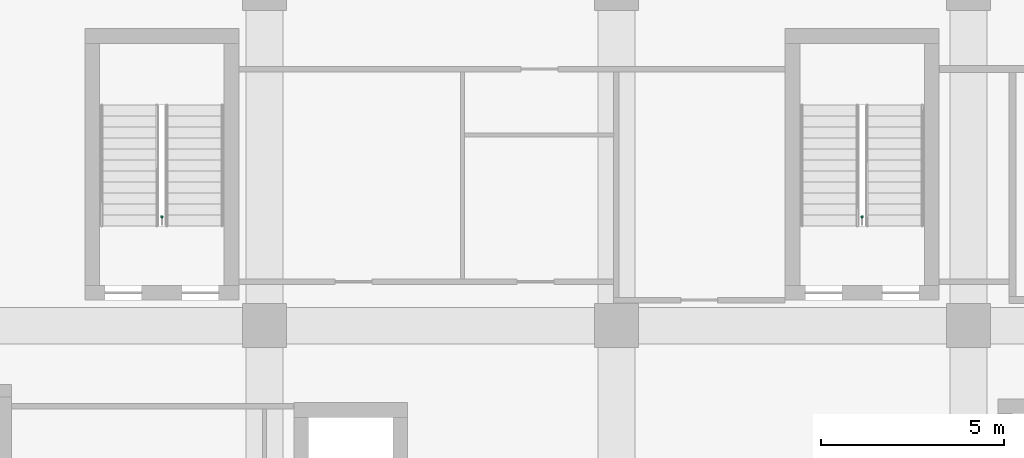
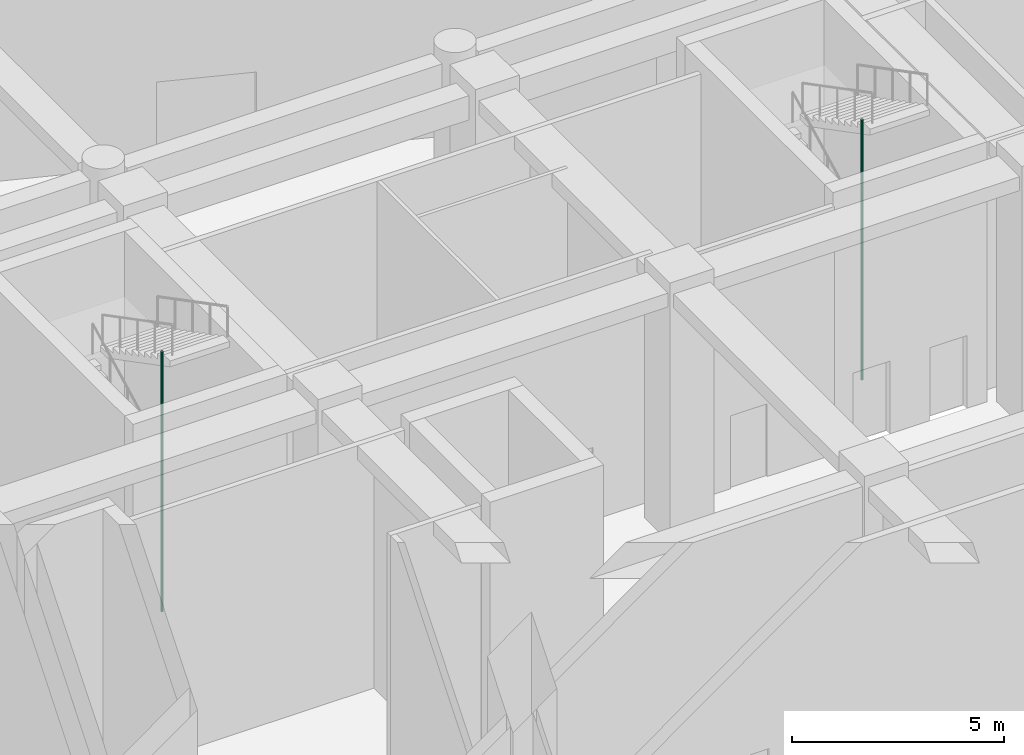
# One storey, part 26 of 36: 2 pipe segments.
"""IFC4 building model written with IfcOpenShell, lengths in metres."""

from ifc_helpers import new_model, si_unit, direction, frame, origin, origin_2d, place, context, subcontext, project, spatial, circle, extrude, element, save


model = new_model("IFC4")

# Units and contexts
model_context = context("Model", 3, precision=1e-05, world=origin(), true_north=direction((0.0, 1.0)))
body_context = subcontext(model_context, "Body", "Model", "MODEL_VIEW")
ifc_project = project(units=[si_unit("LENGTHUNIT", "METRE"), si_unit("AREAUNIT", "SQUARE_METRE"), si_unit("VOLUMEUNIT", "CUBIC_METRE"), si_unit("PLANEANGLEUNIT", "RADIAN"), si_unit("MASSUNIT", "GRAM", prefix="KILO")], contexts=[model_context])

# Site, building, storey
site_placement = place(None, origin())
site = spatial("IfcSite", under=ifc_project, at=site_placement, CompositionType="ELEMENT")
building_placement = place(site_placement, origin())
building = spatial("IfcBuilding", under=site, at=building_placement, Name="Nzadi Deep Aquarium and Research Tower", CompositionType="ELEMENT")
storey_placement = place(building_placement, frame((0.0, 0.0, 14.199951171875)))
storey = spatial("IfcBuildingStorey", under=building, at=storey_placement, Name="L02", CompositionType="ELEMENT", Elevation=14.199951171875)

# Pipe segments
for number, where, z_axis, x_axis, name in (
    (1, (6.800048828125, 39.77001953125, 0.0), (0.0, 0.0, 1.0), (1.0, 0.0, 0.0), "Dry riser ST-Z1-NW L02"),
    (2, (25.89990234375, 39.77001953125, 0.0), (0.0, 0.0, 1.0), (1.0, 0.0, 0.0), "Dry riser ST-Z1-NE L02"),
):
    element("IfcPipeSegment", number, at=place(storey_placement, frame(where, z_axis=z_axis, x_axis=x_axis)), inside=storey, Name=name, PredefinedType="RIGIDSEGMENT", context=body_context, shape_type="SweptSolid", body=[
        extrude(circle(Radius=0.034912109375, at=origin_2d()), origin(), (0.0, 0.0, 1.0), 7.5),
    ])

save(model, "model.ifc")
